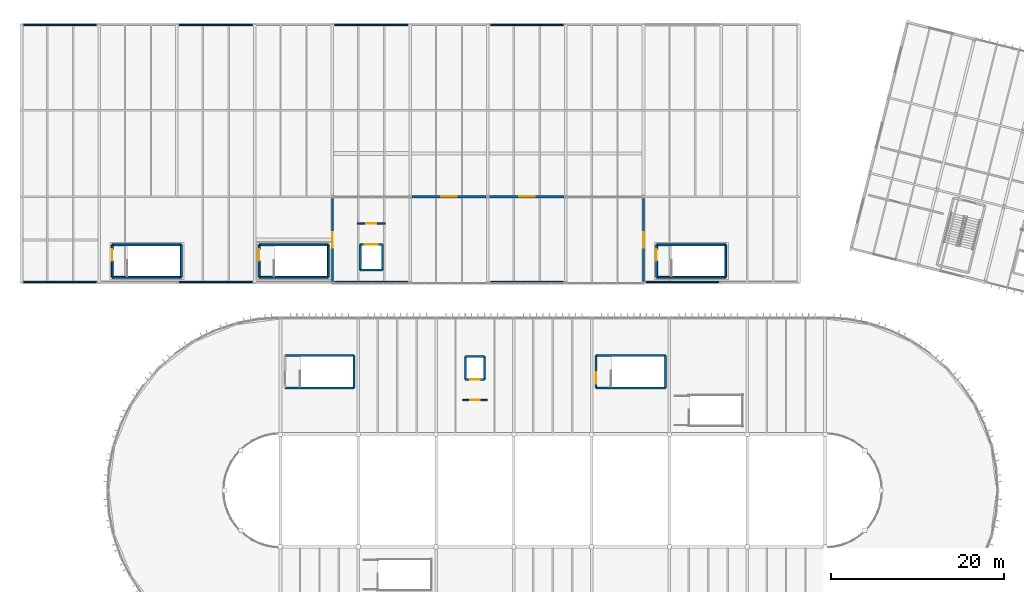
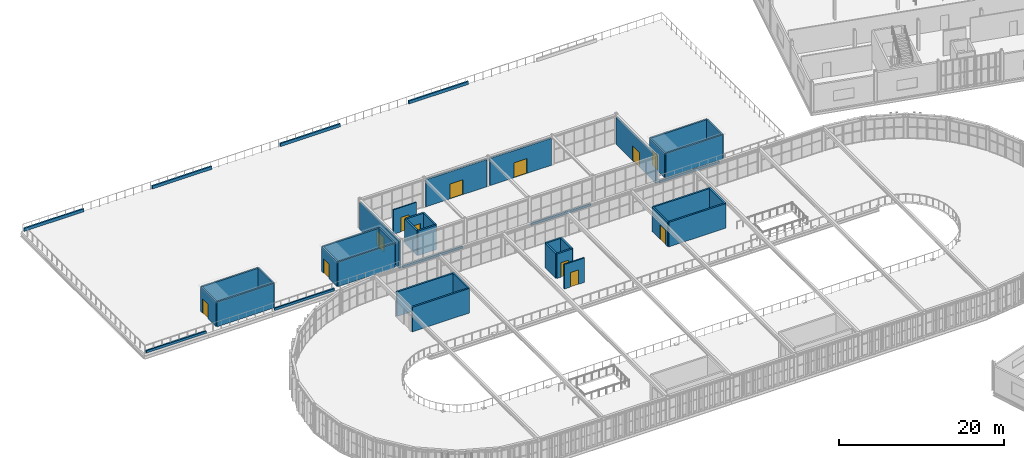
# One storey, part 122 of 152: 42 walls, 12 doors, 12 openings.
"""IFC4 building model written with IfcOpenShell, lengths in metres."""

import ifcopenshell
import ifcopenshell.guid

model = None  # the IFC model being written
_history = None  # IfcOwnerHistory: only IFC2X3 demands one
_inside = {}  # id of a spatial element -> (the spatial element, [elements in it])
_under = {}  # id of a project, library or spatial element -> (it, [spatial elements below it])
_declared = {}  # id of a project -> (the project, [libraries it declares])
_typed = {}  # id of a type object -> (the type object, [elements of that type])
_made_of = {}  # id of a material, layer set ... -> (it, [elements and type objects made of it])


def new_model(schema):
    """Start an empty IFC model of exactly this schema.

    Asked for "IFC4X3", IfcOpenShell would pick the latest addendum, in which some entities
    have other attributes; the version numbers below select the first issue.
    IFC2X3 requires an IfcOwnerHistory on every rooted entity: one is made here for all.
    """
    global model, _history
    if schema == "IFC4X3":
        model = ifcopenshell.file(schema_version=(4, 3, 0, 0))
    else:
        model = ifcopenshell.file(schema=schema)
    _inside.clear()
    _under.clear()
    _declared.clear()
    _typed.clear()
    _made_of.clear()
    _history = None
    if model.schema == "IFC2X3":
        org = make("IfcOrganization", Name="unknown")
        user = make(
            "IfcPersonAndOrganization",
            ThePerson=make("IfcPerson", FamilyName="unknown"),
            TheOrganization=org,
        )
        app = make(
            "IfcApplication",
            ApplicationDeveloper=org,
            Version="unknown",
            ApplicationFullName="unknown",
            ApplicationIdentifier="unknown",
        )
        _history = make(
            "IfcOwnerHistory",
            OwningUser=user,
            OwningApplication=app,
            ChangeAction="ADDED",
            CreationDate=0,
        )
    return model


def make(cls, **values):
    """One entity of the class cls with the attributes given. An attribute that is None is left unset."""
    return model.create_entity(
        cls, **{name: value for name, value in values.items() if value is not None}
    )


def rooted(cls, **values):
    """An entity with a GlobalId (a new one), such as an element, a storey or a relation."""
    return make(cls, GlobalId=ifcopenshell.guid.new(), OwnerHistory=_history, **values)


def si_unit(unit_type, name, prefix=None):
    """IfcSIUnit, for example si_unit("LENGTHUNIT", "METRE", prefix="MILLI")."""
    return make("IfcSIUnit", UnitType=unit_type, Prefix=prefix, Name=name)


def derived_unit(unit_type, elements):
    """IfcDerivedUnit: a product of units, each with its exponent."""
    return make(
        "IfcDerivedUnit",
        Elements=[
            make("IfcDerivedUnitElement", Unit=unit, Exponent=power)
            for unit, power in elements
        ],
        UnitType=unit_type,
    )


def assignment(units):
    """IfcUnitAssignment: the units of a project."""
    return None if units is None else make("IfcUnitAssignment", Units=units)


def point(xyz):
    """IfcCartesianPoint."""
    return None if xyz is None else make("IfcCartesianPoint", Coordinates=xyz)


def direction(xyz):
    """IfcDirection."""
    return None if xyz is None else make("IfcDirection", DirectionRatios=xyz)


def frame(location, z_axis=None, x_axis=None):
    """IfcAxis2Placement3D, a coordinate frame: its origin and axes. An axis left out is left unset."""
    return make(
        "IfcAxis2Placement3D",
        Location=point(location),
        Axis=direction(z_axis),
        RefDirection=direction(x_axis),
    )


def frame_2d(location, x_axis=None):
    """IfcAxis2Placement2D, a coordinate frame in the plane: its origin and x axis."""
    return make(
        "IfcAxis2Placement2D", Location=point(location), RefDirection=direction(x_axis)
    )


def origin():
    """The frame at (0, 0, 0) with its axes left unset."""
    return frame((0.0, 0.0, 0.0))


def place(relative_to, where):
    """IfcLocalPlacement: puts the frame where relative to a parent placement (None: the world)."""
    return make(
        "IfcLocalPlacement", PlacementRelTo=relative_to, RelativePlacement=where
    )


def context(
    kind, dimensions, precision=None, world=None, true_north=None, identifier=None
):
    """IfcGeometricRepresentationContext, for example the 3D "Model" context."""
    return make(
        "IfcGeometricRepresentationContext",
        ContextIdentifier=identifier,
        ContextType=kind,
        CoordinateSpaceDimension=dimensions,
        Precision=precision,
        WorldCoordinateSystem=world,
        TrueNorth=true_north,
    )


def subcontext(parent, identifier, kind, view, scale=None):
    """IfcGeometricRepresentationSubContext, for example "Body" below "Model"."""
    return make(
        "IfcGeometricRepresentationSubContext",
        ContextIdentifier=identifier,
        ContextType=kind,
        ParentContext=parent,
        TargetScale=scale,
        TargetView=view,
    )


def project(units=None, contexts=None):
    """IfcProject with its units and contexts."""
    return rooted(
        "IfcProject",
        Name="project",
        RepresentationContexts=contexts,
        UnitsInContext=assignment(units),
    )


def spatial(cls, under=None, at=None, **own):
    """A site, building, storey or space (cls), placed at a placement, below another one or the project."""
    s = rooted(cls, ObjectPlacement=at, **own)
    if under is not None:
        _under.setdefault(under.id(), (under, []))[1].append(s)
    return s


def profile(cls, at=None, kind="AREA", **sizes):
    """A parametric profile (cls). Its sizes go by their IFC names, for example OverallWidth=200.0."""
    return make(cls, ProfileType=kind, Position=at, **sizes)


def rectangle(**sizes):
    """IfcRectangleProfileDef."""
    return profile("IfcRectangleProfileDef", **sizes)


def extrude(swept, where, along, depth):
    """IfcExtrudedAreaSolid: the profile swept, set in the frame where, extruded along a direction by depth."""
    return make(
        "IfcExtrudedAreaSolid",
        SweptArea=swept,
        Position=where,
        ExtrudedDirection=direction(along),
        Depth=depth,
    )


def shape(context_of_items, identifier, shape_type, items):
    """IfcShapeRepresentation: the items that make up one representation, for example the "Body"."""
    return make(
        "IfcShapeRepresentation",
        ContextOfItems=context_of_items,
        RepresentationIdentifier=identifier,
        RepresentationType=shape_type,
        Items=items,
    )


def material(Name=None, Category=None):
    """IfcMaterial."""
    return make("IfcMaterial", Name=Name, Category=Category)


def layer(
    of_material, thickness, ventilated=None, Name=None, Category=None, Priority=None
):
    """IfcMaterialLayer: one layer of a wall or slab, of a material (None: an air gap)."""
    return make(
        "IfcMaterialLayer",
        Material=of_material,
        LayerThickness=thickness,
        IsVentilated=ventilated,
        Name=Name,
        Category=Category,
        Priority=Priority,
    )


def layer_set(layers, Name=None):
    """IfcMaterialLayerSet."""
    return make("IfcMaterialLayerSet", MaterialLayers=layers, LayerSetName=Name)


def made_of(thing, what):
    """Note that an element or type object is made of a material, layer set ...; save() writes the relation."""
    if what is not None:
        _made_of.setdefault(what.id(), (what, []))[1].append(thing)
    return thing


def type_object(cls, material=None, **own):
    """A type object (cls), such as IfcWallType, which elements share."""
    return made_of(rooted(cls, **own), material)


def element(
    cls,
    number,
    at=None,
    inside=None,
    cuts=None,
    type_object=None,
    material=None,
    context=None,
    identifier="Body",
    shape_type=None,
    held_by="IfcProductDefinitionShape",
    body=None,
    shapes=None,
    **own,
):
    """One element of the class cls, such as IfcWall. Its Tag is "e" and its number.

    at: its placement. inside: the storey or other place that contains it. cuts: it is an
    opening in that element (IfcRelVoidsElement). A single representation is given by context,
    identifier, shape_type and body (its items); several are given by shapes. held_by: the class
    of the entity that holds the representations. save() writes the other relations.
    """
    e = rooted(cls, Tag="e%d" % number, ObjectPlacement=at, **own)
    if body is not None:
        shapes = [shape(context, identifier, shape_type, body)]
    if shapes is not None:
        e.Representation = make(held_by, Representations=shapes)
    if inside is not None:
        _inside.setdefault(inside.id(), (inside, []))[1].append(e)
    if cuts is not None:
        rooted(
            "IfcRelVoidsElement", RelatingBuildingElement=cuts, RelatedOpeningElement=e
        )
    if type_object is not None:
        _typed.setdefault(type_object.id(), (type_object, []))[1].append(e)
    return made_of(e, material)


def fill(opening, filler):
    """IfcRelFillsElement: the door or window that sits in an opening."""
    return rooted(
        "IfcRelFillsElement",
        RelatingOpeningElement=opening,
        RelatedBuildingElement=filler,
    )


def aggregate(whole, parts):
    """IfcRelAggregates: a whole, such as a stair, and the parts it consists of."""
    return rooted("IfcRelAggregates", RelatingObject=whole, RelatedObjects=parts)


def save(model, path):
    """Write the relations noted so far, then the file.

    IfcRelAggregates (storeys below a building ...), IfcRelContainedInSpatialStructure (elements
    in a storey), IfcRelDefinesByType, IfcRelAssociatesMaterial and IfcRelDeclares: one each for
    every whole, place, type object, material and project.
    """
    for whole, parts in _under.values():
        aggregate(whole, parts)
    for where, things in _inside.values():
        rooted(
            "IfcRelContainedInSpatialStructure",
            RelatedElements=things,
            RelatingStructure=where,
        )
    for kind, things in _typed.values():
        rooted("IfcRelDefinesByType", RelatedObjects=things, RelatingType=kind)
    for what, things in _made_of.values():
        rooted("IfcRelAssociatesMaterial", RelatedObjects=things, RelatingMaterial=what)
    for by, libraries in _declared.values():
        rooted("IfcRelDeclares", RelatingContext=by, RelatedDefinitions=libraries)
    model.write(path)


model = new_model("IFC4")

# Units and contexts
model_context = context("Model", 3, precision=1e-05, world=origin(), true_north=direction((0.0, 1.0)))
body_context = subcontext(model_context, "Body", "Model", "MODEL_VIEW")
ifc_project = project(units=[si_unit("LENGTHUNIT", "METRE"), si_unit("AREAUNIT", "SQUARE_METRE"), si_unit("VOLUMEUNIT", "CUBIC_METRE"), si_unit("PLANEANGLEUNIT", "RADIAN"), si_unit("MASSUNIT", "GRAM", prefix="KILO"), si_unit("THERMODYNAMICTEMPERATUREUNIT", "KELVIN"), si_unit("TIMEUNIT", "SECOND"), derived_unit("THERMALTRANSMITTANCEUNIT", [(si_unit("MASSUNIT", "GRAM", prefix="KILO"), 1), (si_unit("THERMODYNAMICTEMPERATUREUNIT", "KELVIN"), -1), (si_unit("TIMEUNIT", "SECOND"), -3)])], contexts=[model_context])

# Site, building, storey
site_placement = place(None, origin())
site = spatial("IfcSite", under=ifc_project, at=site_placement, CompositionType="ELEMENT")
building_placement = place(site_placement, origin())
building = spatial("IfcBuilding", under=site, at=building_placement, Name="Cambertide Market Hall", CompositionType="ELEMENT")
storey_placement = place(building_placement, frame((0.0, 0.0, 5.39990234375)))
storey = spatial("IfcBuildingStorey", under=building, at=storey_placement, Name="L02", CompositionType="ELEMENT", Elevation=5.39990234375)

# Wall, opening, door
ifc_material_1 = material(Name="Autoclaved Aerated Concrete Blockwork M7.5", Category="masonry")
ifc_layer_1 = layer(ifc_material_1, 0.25, Name="Insulated AAC Exterior Infill Wall 250")
ifc_layer_set_1 = layer_set([ifc_layer_1], Name="Autoclaved Aerated Concrete Blockwork M7.5")
wall_type_1 = type_object("IfcWallType", Name="Insulated AAC Exterior Infill Wall 250", PredefinedType="SOLIDWALL", material=ifc_layer_set_1)
wall_1_placement = place(storey_placement, frame((57.199951171875, 106.0, 0.0), z_axis=(0.0, 0.0, 1.0), x_axis=(1.0, 0.0, 0.0)))
wall_1 = element("IfcWall", 1, at=wall_1_placement, inside=storey, type_object=wall_type_1, Name="Level 2 Exterior Wall EW-L02-PAVN-5", PredefinedType="SOLIDWALL", context=body_context, shape_type="SweptSolid", body=[
    extrude(rectangle(XDim=8.60009765625, YDim=0.25, at=frame_2d((4.300048828125, 0.0))), origin(), (0.0, 0.0, 1.0), 4.02001953125),
])
opening_1_placement = place(wall_1_placement, frame((3.39990234375, 0.0, 0.0)))
opening_1 = element("IfcOpeningElement", 2, at=opening_1_placement, cuts=wall_1, Name="Opening TD-01", PredefinedType="OPENING", context=body_context, shape_type="SweptSolid", body=[
    extrude(rectangle(XDim=1.800048828125, YDim=2.199951171875, at=frame_2d((0.89990234375, 1.10009765625))), frame((0.0, 0.135009765625, 0.0), z_axis=(0.0, -1.0, 0.0), x_axis=(1.0, 0.0, 0.0)), (0.0, 0.0, 1.0), 0.27001953125),
])
ifc_material_2 = material(Name="Champagne Marine Anodized Aluminium 6063-T6 AA25", Category="aluminium")
door_type_1 = type_object("IfcDoorType", Name="Glazed Terrace Double Door 1800x2200", OperationType="DOUBLE_DOOR_SINGLE_SWING", PredefinedType="DOOR", material=ifc_material_2)
door_1_placement = place(opening_1_placement, origin())
door_1 = element("IfcDoor", 3, at=door_1_placement, inside=storey, type_object=door_type_1, Name="Level 2 Exterior Door EW-L02-PAVN-5-DR", OperationType="DOUBLE_DOOR_SINGLE_SWING", OverallHeight=2.199951171875, OverallWidth=1.800048828125, PredefinedType="DOOR", context=body_context, shape_type="SweptSolid", body=[
    extrude(rectangle(XDim=1.800048828125, YDim=2.199951171875, at=frame_2d((0.89990234375, 1.10009765625))), frame((0.0, 0.02490234375, 0.0), z_axis=(0.0, -1.0, 0.0), x_axis=(1.0, 0.0, 0.0)), (0.0, 0.0, 1.0), 0.050048828125),
])
fill(opening_1, door_1)

wall_2_placement = place(storey_placement, frame((66.199951171875, 106.0, 0.0), z_axis=(0.0, 0.0, 1.0), x_axis=(1.0, 0.0, 0.0)))
wall_2 = element("IfcWall", 4, at=wall_2_placement, inside=storey, type_object=wall_type_1, Name="Level 2 Exterior Wall EW-L02-PAVN-6", PredefinedType="SOLIDWALL", context=body_context, shape_type="SweptSolid", body=[
    extrude(rectangle(XDim=8.60009765625, YDim=0.25, at=frame_2d((4.300048828125, 0.0))), origin(), (0.0, 0.0, 1.0), 4.02001953125),
])
opening_2_placement = place(wall_2_placement, frame((3.39990234375, 0.0, 0.0)))
opening_2 = element("IfcOpeningElement", 5, at=opening_2_placement, cuts=wall_2, Name="Opening TD-01", PredefinedType="OPENING", context=body_context, shape_type="SweptSolid", body=[
    extrude(rectangle(XDim=1.800048828125, YDim=2.199951171875, at=frame_2d((0.89990234375, 1.10009765625))), frame((0.0, 0.135009765625, 0.0), z_axis=(0.0, -1.0, 0.0), x_axis=(1.0, 0.0, 0.0)), (0.0, 0.0, 1.0), 0.27001953125),
])
door_2_placement = place(opening_2_placement, origin())
door_2 = element("IfcDoor", 6, at=door_2_placement, inside=storey, type_object=door_type_1, Name="Level 2 Exterior Door EW-L02-PAVN-6-DR", OperationType="DOUBLE_DOOR_SINGLE_SWING", OverallHeight=2.199951171875, OverallWidth=1.800048828125, PredefinedType="DOOR", context=body_context, shape_type="SweptSolid", body=[
    extrude(rectangle(XDim=1.800048828125, YDim=2.199951171875, at=frame_2d((0.89990234375, 1.10009765625))), frame((0.0, 0.02490234375, 0.0), z_axis=(0.0, -1.0, 0.0), x_axis=(1.0, 0.0, 0.0)), (0.0, 0.0, 1.0), 0.050048828125),
])
fill(opening_2, door_2)

wall_3_placement = place(storey_placement, frame((48.0, 96.199951171875, 0.0), z_axis=(0.0, 0.0, 1.0), x_axis=(0.0, 1.0, 0.0)))
wall_3 = element("IfcWall", 7, at=wall_3_placement, inside=storey, type_object=wall_type_1, Name="Level 2 Exterior Wall EW-L02-PAVW", PredefinedType="SOLIDWALL", context=body_context, shape_type="SweptSolid", body=[
    extrude(rectangle(XDim=9.60009765625, YDim=0.25, at=frame_2d((4.800048828125, 0.0))), origin(), (0.0, 0.0, 1.0), 4.02001953125),
])
opening_3_placement = place(wall_3_placement, frame((3.89990234375, 0.0, 0.0)))
opening_3 = element("IfcOpeningElement", 8, at=opening_3_placement, cuts=wall_3, Name="Opening TD-01", PredefinedType="OPENING", context=body_context, shape_type="SweptSolid", body=[
    extrude(rectangle(XDim=1.800048828125, YDim=2.199951171875, at=frame_2d((0.89990234375, 1.10009765625))), frame((0.0, 0.135009765625, 0.0), z_axis=(0.0, -1.0, 0.0), x_axis=(1.0, 0.0, 0.0)), (0.0, 0.0, 1.0), 0.27001953125),
])
door_3_placement = place(opening_3_placement, origin())
door_3 = element("IfcDoor", 9, at=door_3_placement, inside=storey, type_object=door_type_1, Name="Level 2 Exterior Door EW-L02-PAVW-DR", OperationType="DOUBLE_DOOR_SINGLE_SWING", OverallHeight=2.199951171875, OverallWidth=1.800048828125, PredefinedType="DOOR", context=body_context, shape_type="SweptSolid", body=[
    extrude(rectangle(XDim=1.800048828125, YDim=2.199951171875, at=frame_2d((0.89990234375, 1.10009765625))), frame((0.0, 0.02490234375, 0.0), z_axis=(0.0, -1.0, 0.0), x_axis=(1.0, 0.0, 0.0)), (0.0, 0.0, 1.0), 0.050048828125),
])
fill(opening_3, door_3)

wall_4_placement = place(storey_placement, frame((84.0, 105.800048828125, 0.0), z_axis=(0.0, 0.0, 1.0), x_axis=(0.0, -1.0, 0.0)))
wall_4 = element("IfcWall", 10, at=wall_4_placement, inside=storey, type_object=wall_type_1, Name="Level 2 Exterior Wall EW-L02-PAVE", PredefinedType="SOLIDWALL", context=body_context, shape_type="SweptSolid", body=[
    extrude(rectangle(XDim=9.60009765625, YDim=0.25, at=frame_2d((4.800048828125, 0.0))), origin(), (0.0, 0.0, 1.0), 4.02001953125),
])
opening_4_placement = place(wall_4_placement, frame((3.89990234375, 0.0, 0.0)))
opening_4 = element("IfcOpeningElement", 11, at=opening_4_placement, cuts=wall_4, Name="Opening TD-01", PredefinedType="OPENING", context=body_context, shape_type="SweptSolid", body=[
    extrude(rectangle(XDim=1.800048828125, YDim=2.199951171875, at=frame_2d((0.89990234375, 1.10009765625))), frame((0.0, 0.135009765625, 0.0), z_axis=(0.0, -1.0, 0.0), x_axis=(1.0, 0.0, 0.0)), (0.0, 0.0, 1.0), 0.27001953125),
])
door_4_placement = place(opening_4_placement, origin())
door_4 = element("IfcDoor", 12, at=door_4_placement, inside=storey, type_object=door_type_1, Name="Level 2 Exterior Door EW-L02-PAVE-DR", OperationType="DOUBLE_DOOR_SINGLE_SWING", OverallHeight=2.199951171875, OverallWidth=1.800048828125, PredefinedType="DOOR", context=body_context, shape_type="SweptSolid", body=[
    extrude(rectangle(XDim=1.800048828125, YDim=2.199951171875, at=frame_2d((0.89990234375, 1.10009765625))), frame((0.0, 0.02490234375, 0.0), z_axis=(0.0, -1.0, 0.0), x_axis=(1.0, 0.0, 0.0)), (0.0, 0.0, 1.0), 0.050048828125),
])
fill(opening_4, door_4)

ifc_material_3 = material(Name="Autoclaved Aerated Concrete Blockwork M7.5", Category="masonry")
ifc_layer_2 = layer(ifc_material_3, 0.169921875, Name="Lift Lobby Fire Partition 170")
ifc_layer_set_2 = layer_set([ifc_layer_2], Name="Autoclaved Aerated Concrete Blockwork M7.5")
wall_type_2 = type_object("IfcWallType", Name="Lift Lobby Fire Partition 170", PredefinedType="PARTITIONING", material=ifc_layer_set_2)
wall_5_placement = place(storey_placement, frame((65.929931640625, 82.469970703125, 0.0), z_axis=(0.0, 0.0, 1.0), x_axis=(-1.0, 0.0, 0.0)))
wall_5 = element("IfcWall", 13, at=wall_5_placement, inside=storey, type_object=wall_type_2, Name="Level 2 Interior Wall LLW-LP-01-L02", PredefinedType="PARTITIONING", context=body_context, shape_type="SweptSolid", body=[
    extrude(rectangle(XDim=2.85986328125, YDim=0.169921875, at=frame_2d((1.429931640625, 0.0))), origin(), (0.0, 0.0, 1.0), 3.64013671875),
])
opening_5_placement = place(wall_5_placement, frame((0.85498046875, 0.0, 0.0)))
opening_5 = element("IfcOpeningElement", 14, at=opening_5_placement, cuts=wall_5, Name="Opening KD-02", PredefinedType="OPENING", context=body_context, shape_type="SweptSolid", body=[
    extrude(rectangle(XDim=1.14990234375, YDim=2.14990234375, at=frame_2d((0.574951171875, 1.074951171875))), frame((0.0, 0.094970703125, 0.0), z_axis=(0.0, -1.0, 0.0), x_axis=(1.0, 0.0, 0.0)), (0.0, 0.0, 1.0), 0.18994140625),
])
ifc_material_4 = material(Name="Stainless Steel Grade 316", Category="metal")
door_type_2 = type_object("IfcDoorType", Name="Lift Lobby Smoke-Stop Door 1150x2150", OperationType="NOTDEFINED", PredefinedType="DOOR", material=ifc_material_4)
door_5_placement = place(opening_5_placement, origin())
door_5 = element("IfcDoor", 15, at=door_5_placement, inside=storey, type_object=door_type_2, Name="Level 2 Door LLW-LP-01-L02-DR1", OperationType="SINGLE_SWING_RIGHT", OverallHeight=2.14990234375, OverallWidth=1.14990234375, PredefinedType="DOOR", context=body_context, shape_type="SweptSolid", body=[
    extrude(rectangle(XDim=1.14990234375, YDim=2.14990234375, at=frame_2d((0.574951171875, 1.074951171875))), frame((0.0, 0.02490234375, 0.0), z_axis=(0.0, -1.0, 0.0), x_axis=(1.0, 0.0, 0.0)), (0.0, 0.0, 1.0), 0.050048828125),
])
fill(opening_5, door_5)

wall_6_placement = place(storey_placement, frame((50.8701171875, 102.8798828125, 0.0), z_axis=(0.0, 0.0, 1.0), x_axis=(1.0, 0.0, 0.0)))
wall_6 = element("IfcWall", 16, at=wall_6_placement, inside=storey, type_object=wall_type_2, Name="Level 2 Interior Wall LLW-LG-01-L02", PredefinedType="PARTITIONING", context=body_context, shape_type="SweptSolid", body=[
    extrude(rectangle(XDim=3.259765625, YDim=0.169921875, at=frame_2d((1.6298828125, 0.0))), origin(), (0.0, 0.0, 1.0), 3.64013671875),
])
opening_6_placement = place(wall_6_placement, frame((1.054931640625, 0.0, 0.0)))
opening_6 = element("IfcOpeningElement", 17, at=opening_6_placement, cuts=wall_6, Name="Opening KD-02", PredefinedType="OPENING", context=body_context, shape_type="SweptSolid", body=[
    extrude(rectangle(XDim=1.14990234375, YDim=2.14990234375, at=frame_2d((0.574951171875, 1.074951171875))), frame((0.0, 0.094970703125, 0.0), z_axis=(0.0, -1.0, 0.0), x_axis=(1.0, 0.0, 0.0)), (0.0, 0.0, 1.0), 0.18994140625),
])
door_6_placement = place(opening_6_placement, origin())
door_6 = element("IfcDoor", 18, at=door_6_placement, inside=storey, type_object=door_type_2, Name="Level 2 Door LLW-LG-01-L02-DR1", OperationType="SINGLE_SWING_LEFT", OverallHeight=2.14990234375, OverallWidth=1.14990234375, PredefinedType="DOOR", context=body_context, shape_type="SweptSolid", body=[
    extrude(rectangle(XDim=1.14990234375, YDim=2.14990234375, at=frame_2d((0.574951171875, 1.074951171875))), frame((0.0, 0.02490234375, 0.0), z_axis=(0.0, -1.0, 0.0), x_axis=(1.0, 0.0, 0.0)), (0.0, 0.0, 1.0), 0.050048828125),
])
fill(opening_6, door_6)

# Walls
ifc_material_5 = material(Name="Precast concrete B35", Category="concrete")
ifc_layer_3 = layer(ifc_material_5, 0.195068359375, Name="Monsoon Gutter Parapet Upstand 195")
ifc_layer_set_3 = layer_set([ifc_layer_3], Name="Precast concrete B35")
wall_type_3 = type_object("IfcWallType", Name="Monsoon Gutter Parapet Upstand 195", PredefinedType="PARAPET", material=ifc_layer_set_3)
for number, where, z_axis, x_axis, name in (
    (19, (20.699951171875, 96.1201171875, 0.0), (0.0, 0.0, 1.0), (-1.0, 0.0, 0.0), "PAR-V2S-1"),
    (20, (38.699951171875, 96.1201171875, 0.0), (0.0, 0.0, 1.0), (-1.0, 0.0, 0.0), "PAR-V2S-2"),
    (21, (56.699951171875, 96.1201171875, 0.0), (0.0, 0.0, 1.0), (-1.0, 0.0, 0.0), "PAR-V2S-3"),
    (22, (74.699951171875, 96.1201171875, 0.0), (0.0, 0.0, 1.0), (-1.0, 0.0, 0.0), "PAR-V2S-4"),
    (23, (92.699951171875, 96.1201171875, 0.0), (0.0, 0.0, 1.0), (-1.0, 0.0, 0.0), "PAR-V2S-5"),
):
    element("IfcWall", number, at=place(storey_placement, frame(where, z_axis=z_axis, x_axis=x_axis)), inside=storey, type_object=wall_type_3, Name=name, PredefinedType="PARAPET", context=body_context, shape_type="SweptSolid", body=[
        extrude(rectangle(XDim=8.39990234375, YDim=0.195068359375, at=frame_2d((4.199951171875, 0.0))), origin(), (0.0, 0.0, 1.0), 0.35009765625),
    ])
ifc_material_6 = material(Name="Concrete B35", Category="concrete")
ifc_layer_4 = layer(ifc_material_6, 0.239990234375, Name="Stair & Lift Core Shaft Wall 240")
ifc_layer_set_4 = layer_set([ifc_layer_4], Name="Concrete B35")
wall_type_4 = type_object("IfcWallType", Name="Stair & Lift Core Shaft Wall 240", PredefinedType="SOLIDWALL", material=ifc_layer_set_4)
wall_7_placement = place(storey_placement, frame((50.52490234375, 83.875, 0.0), z_axis=(0.0, 0.0, 1.0), x_axis=(-1.0, 0.0, 0.0)))
element("IfcWall", 24, at=wall_7_placement, inside=storey, type_object=wall_type_4, Name="Level 2 Interior Wall SHW-ST-01-L02-L", PredefinedType="SOLIDWALL", context=body_context, shape_type="SweptSolid", body=[
    extrude(rectangle(XDim=8.0, YDim=0.239990234375, at=frame_2d((4.0, 0.0))), origin(), (0.0, 0.0, 1.0), 3.64013671875),
])
wall_8_placement = place(storey_placement, frame((50.52490234375, 87.625, 0.0), z_axis=(0.0, 0.0, 1.0), x_axis=(0.0, -1.0, 0.0)))
element("IfcWall", 25, at=wall_8_placement, inside=storey, type_object=wall_type_4, Name="Level 2 Interior Wall SHW-ST-01-L02-FAR", PredefinedType="SOLIDWALL", context=body_context, shape_type="SweptSolid", body=[
    extrude(rectangle(XDim=3.75, YDim=0.239990234375, at=frame_2d((1.875, 0.0))), origin(), (0.0, 0.0, 1.0), 3.64013671875),
])
wall_9_placement = place(storey_placement, frame((42.52490234375, 87.625, 0.0), z_axis=(0.0, 0.0, 1.0), x_axis=(1.0, 0.0, 0.0)))
element("IfcWall", 26, at=wall_9_placement, inside=storey, type_object=wall_type_4, Name="Level 2 Interior Wall SHW-ST-01-L02-R", PredefinedType="SOLIDWALL", context=body_context, shape_type="SweptSolid", body=[
    extrude(rectangle(XDim=8.0, YDim=0.239990234375, at=frame_2d((4.0, 0.0))), origin(), (0.0, 0.0, 1.0), 3.64013671875),
])

# Wall, opening, door
wall_10_placement = place(storey_placement, frame((78.52490234375, 83.875, 0.0), z_axis=(0.0, 0.0, 1.0), x_axis=(0.0, 1.0, 0.0)))
wall_10 = element("IfcWall", 27, at=wall_10_placement, inside=storey, type_object=wall_type_4, Name="Level 2 Interior Wall SHW-ST-01B-L02-NEAR", PredefinedType="SOLIDWALL", context=body_context, shape_type="SweptSolid", body=[
    extrude(rectangle(XDim=3.75, YDim=0.239990234375, at=frame_2d((1.875, 0.0))), origin(), (0.0, 0.0, 1.0), 3.64013671875),
])
opening_7_placement = place(wall_10_placement, frame((0.489990234375, 0.0, 0.0)))
opening_7 = element("IfcOpeningElement", 28, at=opening_7_placement, cuts=wall_10, Name="Opening FD-01", PredefinedType="OPENING", context=body_context, shape_type="SweptSolid", body=[
    extrude(rectangle(XDim=1.300048828125, YDim=2.14990234375, at=frame_2d((0.64990234375, 1.074951171875))), frame((0.0, 0.1298828125, 0.0), z_axis=(0.0, -1.0, 0.0), x_axis=(1.0, 0.0, 0.0)), (0.0, 0.0, 1.0), 0.260009765625),
])
ifc_material_7 = material(Name="Powder-Coated Galvanized Sheet Metal", Category="metal")
door_type_3 = type_object("IfcDoorType", Name="Stair Core Fire Door 1300x2150", OperationType="NOTDEFINED", PredefinedType="DOOR", material=ifc_material_7)
door_7_placement = place(opening_7_placement, origin())
door_7 = element("IfcDoor", 29, at=door_7_placement, inside=storey, type_object=door_type_3, Name="Level 2 Door SHW-ST-01B-L02-NEAR-DR1", OperationType="SINGLE_SWING_RIGHT", OverallHeight=2.14990234375, OverallWidth=1.300048828125, PredefinedType="DOOR", context=body_context, shape_type="SweptSolid", body=[
    extrude(rectangle(XDim=1.300048828125, YDim=2.14990234375, at=frame_2d((0.64990234375, 1.074951171875))), frame((0.0, 0.02490234375, 0.0), z_axis=(0.0, -1.0, 0.0), x_axis=(1.0, 0.0, 0.0)), (0.0, 0.0, 1.0), 0.050048828125),
])
fill(opening_7, door_7)

# Walls
wall_11_placement = place(storey_placement, frame((86.52490234375, 83.875, 0.0), z_axis=(0.0, 0.0, 1.0), x_axis=(-1.0, 0.0, 0.0)))
element("IfcWall", 30, at=wall_11_placement, inside=storey, type_object=wall_type_4, Name="Level 2 Interior Wall SHW-ST-01B-L02-L", PredefinedType="SOLIDWALL", context=body_context, shape_type="SweptSolid", body=[
    extrude(rectangle(XDim=8.0, YDim=0.239990234375, at=frame_2d((4.0, 0.0))), origin(), (0.0, 0.0, 1.0), 3.64013671875),
])
wall_12_placement = place(storey_placement, frame((86.52490234375, 87.625, 0.0), z_axis=(0.0, 0.0, 1.0), x_axis=(0.0, -1.0, 0.0)))
element("IfcWall", 31, at=wall_12_placement, inside=storey, type_object=wall_type_4, Name="Level 2 Interior Wall SHW-ST-01B-L02-FAR", PredefinedType="SOLIDWALL", context=body_context, shape_type="SweptSolid", body=[
    extrude(rectangle(XDim=3.75, YDim=0.239990234375, at=frame_2d((1.875, 0.0))), origin(), (0.0, 0.0, 1.0), 3.64013671875),
])
wall_13_placement = place(storey_placement, frame((78.52490234375, 87.625, 0.0), z_axis=(0.0, 0.0, 1.0), x_axis=(1.0, 0.0, 0.0)))
element("IfcWall", 32, at=wall_13_placement, inside=storey, type_object=wall_type_4, Name="Level 2 Interior Wall SHW-ST-01B-L02-R", PredefinedType="SOLIDWALL", context=body_context, shape_type="SweptSolid", body=[
    extrude(rectangle(XDim=8.0, YDim=0.239990234375, at=frame_2d((4.0, 0.0))), origin(), (0.0, 0.0, 1.0), 3.64013671875),
])

# Wall, opening, door
wall_14_placement = place(storey_placement, frame((65.580078125, 84.8701171875, 0.0), z_axis=(0.0, 0.0, 1.0), x_axis=(-1.0, 0.0, 0.0)))
wall_14 = element("IfcWall", 33, at=wall_14_placement, inside=storey, type_object=wall_type_4, Name="Level 2 Interior Wall LSH-LP-01-L02-S", PredefinedType="SOLIDWALL", context=body_context, shape_type="SweptSolid", body=[
    extrude(rectangle(XDim=2.16015625, YDim=0.239990234375, at=frame_2d((1.080078125, 0.0))), origin(), (0.0, 0.0, 1.0), 3.64013671875),
])
opening_8_placement = place(wall_14_placement, frame((0.530029296875, 0.0, 0.0)))
opening_8 = element("IfcOpeningElement", 34, at=opening_8_placement, cuts=wall_14, Name="Opening LD-01", PredefinedType="OPENING", context=body_context, shape_type="SweptSolid", body=[
    extrude(rectangle(XDim=1.10009765625, YDim=2.14990234375, at=frame_2d((0.550048828125, 1.074951171875))), frame((0.0, 0.1298828125, 0.0), z_axis=(0.0, -1.0, 0.0), x_axis=(1.0, 0.0, 0.0)), (0.0, 0.0, 1.0), 0.260009765625),
])
ifc_material_8 = material(Name="Stainless Steel Grade 316", Category="metal")
door_type_4 = type_object("IfcDoorType", Name="Passenger Lift Sliding Landing Door 1100x2150", OperationType="DOUBLE_DOOR_SLIDING", PredefinedType="DOOR", material=ifc_material_8)
door_8_placement = place(opening_8_placement, origin())
door_8 = element("IfcDoor", 35, at=door_8_placement, inside=storey, type_object=door_type_4, Name="Level 2 Door LSH-LP-01-L02-S-DR1", OperationType="DOUBLE_DOOR_SLIDING", OverallHeight=2.14990234375, OverallWidth=1.10009765625, PredefinedType="DOOR", context=body_context, shape_type="SweptSolid", body=[
    extrude(rectangle(XDim=1.10009765625, YDim=2.14990234375, at=frame_2d((0.550048828125, 1.074951171875))), frame((0.0, 0.02490234375, 0.0), z_axis=(0.0, -1.0, 0.0), x_axis=(1.0, 0.0, 0.0)), (0.0, 0.0, 1.0), 0.050048828125),
])
fill(opening_8, door_8)

# Walls
wall_15_placement = place(storey_placement, frame((63.419921875, 87.530029296875, 0.0), z_axis=(0.0, 0.0, 1.0), x_axis=(1.0, 0.0, 0.0)))
element("IfcWall", 36, at=wall_15_placement, inside=storey, type_object=wall_type_4, Name="Level 2 Interior Wall LSH-LP-01-L02-N", PredefinedType="SOLIDWALL", context=body_context, shape_type="SweptSolid", body=[
    extrude(rectangle(XDim=2.16015625, YDim=0.239990234375, at=frame_2d((1.080078125, 0.0))), origin(), (0.0, 0.0, 1.0), 3.64013671875),
])
for number, where, z_axis, x_axis, name in (
    (37, (63.419921875, 84.8701171875, 0.0), (0.0, 0.0, 1.0), (0.0, 1.0, 0.0), "Level 2 Interior Wall LSH-LP-01-L02-W"),
    (38, (65.580078125, 87.530029296875, 0.0), (0.0, 0.0, 1.0), (0.0, -1.0, 0.0), "Level 2 Interior Wall LSH-LP-01-L02-E"),
):
    element("IfcWall", number, at=place(storey_placement, frame(where, z_axis=z_axis, x_axis=x_axis)), inside=storey, type_object=wall_type_4, Name=name, PredefinedType="SOLIDWALL", context=body_context, shape_type="SweptSolid", body=[
        extrude(rectangle(XDim=2.659912109375, YDim=0.239990234375, at=frame_2d((1.330078125, 0.0))), origin(), (0.0, 0.0, 1.0), 3.64013671875),
    ])
wall_16_placement = place(storey_placement, frame((53.780029296875, 97.52001953125, 0.0), z_axis=(0.0, 0.0, 1.0), x_axis=(-1.0, 0.0, 0.0)))
element("IfcWall", 39, at=wall_16_placement, inside=storey, type_object=wall_type_4, Name="Level 2 Interior Wall LSH-LG-01-L02-S", PredefinedType="SOLIDWALL", context=body_context, shape_type="SweptSolid", body=[
    extrude(rectangle(XDim=2.56005859375, YDim=0.239990234375, at=frame_2d((1.280029296875, 0.0))), origin(), (0.0, 0.0, 1.0), 3.64013671875),
])

# Wall, opening, door
wall_17_placement = place(storey_placement, frame((51.219970703125, 100.47998046875, 0.0), z_axis=(0.0, 0.0, 1.0), x_axis=(1.0, 0.0, 0.0)))
wall_17 = element("IfcWall", 40, at=wall_17_placement, inside=storey, type_object=wall_type_4, Name="Level 2 Interior Wall LSH-LG-01-L02-N", PredefinedType="SOLIDWALL", context=body_context, shape_type="SweptSolid", body=[
    extrude(rectangle(XDim=2.56005859375, YDim=0.239990234375, at=frame_2d((1.280029296875, 0.0))), origin(), (0.0, 0.0, 1.0), 3.64013671875),
])
opening_9_placement = place(wall_17_placement, frame((0.530029296875, 0.0, 0.0)))
opening_9 = element("IfcOpeningElement", 41, at=opening_9_placement, cuts=wall_17, Name="Opening LD-02", PredefinedType="OPENING", context=body_context, shape_type="SweptSolid", body=[
    extrude(rectangle(XDim=1.5, YDim=2.25, at=frame_2d((0.75, 1.125))), frame((0.0, 0.1298828125, 0.0), z_axis=(0.0, -1.0, 0.0), x_axis=(1.0, 0.0, 0.0)), (0.0, 0.0, 1.0), 0.260009765625),
])
ifc_material_9 = material(Name="Stainless Steel Grade 316", Category="metal")
door_type_5 = type_object("IfcDoorType", Name="Goods Lift Sliding Landing Door 1500x2250", OperationType="DOUBLE_DOOR_SLIDING", PredefinedType="DOOR", material=ifc_material_9)
door_9_placement = place(opening_9_placement, origin())
door_9 = element("IfcDoor", 42, at=door_9_placement, inside=storey, type_object=door_type_5, Name="Level 2 Door LSH-LG-01-L02-N-DR1", OperationType="DOUBLE_DOOR_SLIDING", OverallHeight=2.25, OverallWidth=1.5, PredefinedType="DOOR", context=body_context, shape_type="SweptSolid", body=[
    extrude(rectangle(XDim=1.5, YDim=2.25, at=frame_2d((0.75, 1.125))), frame((0.0, 0.02490234375, 0.0), z_axis=(0.0, -1.0, 0.0), x_axis=(1.0, 0.0, 0.0)), (0.0, 0.0, 1.0), 0.050048828125),
])
fill(opening_9, door_9)

# Walls
for number, where, z_axis, x_axis, name in (
    (43, (51.219970703125, 97.52001953125, 0.0), (0.0, 0.0, 1.0), (0.0, 1.0, 0.0), "Level 2 Interior Wall LSH-LG-01-L02-W"),
    (44, (53.780029296875, 100.47998046875, 0.0), (0.0, 0.0, 1.0), (0.0, -1.0, 0.0), "Level 2 Interior Wall LSH-LG-01-L02-E"),
):
    element("IfcWall", number, at=place(storey_placement, frame(where, z_axis=z_axis, x_axis=x_axis)), inside=storey, type_object=wall_type_4, Name=name, PredefinedType="SOLIDWALL", context=body_context, shape_type="SweptSolid", body=[
        extrude(rectangle(XDim=2.9599609375, YDim=0.239990234375, at=frame_2d((1.47998046875, 0.0))), origin(), (0.0, 0.0, 1.0), 3.64013671875),
    ])

# Wall, opening, door
ifc_material_10 = material(Name="Precast concrete B35", Category="concrete")
ifc_layer_5 = layer(ifc_material_10, 0.219970703125, Name="Stair Headhouse Weather Wall 220")
ifc_layer_set_5 = layer_set([ifc_layer_5], Name="Precast concrete B35")
wall_type_5 = type_object("IfcWallType", Name="Stair Headhouse Weather Wall 220", PredefinedType="SOLIDWALL", material=ifc_layer_set_5)
wall_18_placement = place(storey_placement, frame((22.52490234375, 96.675048828125, 0.0), z_axis=(0.0, 0.0, 1.0), x_axis=(0.0, 1.0, 0.0)))
wall_18 = element("IfcWall", 45, at=wall_18_placement, inside=storey, type_object=wall_type_5, Name="Level 2 Exterior Wall SHW-ST-03-L02-NEAR", PredefinedType="SOLIDWALL", context=body_context, shape_type="SweptSolid", body=[
    extrude(rectangle(XDim=3.75, YDim=0.219970703125, at=frame_2d((1.875, 0.0))), origin(), (0.0, 0.0, 1.0), 3.64013671875),
])
opening_10_placement = place(wall_18_placement, frame((1.919921875, 0.0, 0.0)))
opening_10 = element("IfcOpeningElement", 46, at=opening_10_placement, cuts=wall_18, Name="Opening TD-03", PredefinedType="OPENING", context=body_context, shape_type="SweptSolid", body=[
    extrude(rectangle(XDim=1.35009765625, YDim=2.14990234375, at=frame_2d((0.675048828125, 1.074951171875))), frame((0.0, 0.119873046875, 0.0), z_axis=(0.0, -1.0, 0.0), x_axis=(1.0, 0.0, 0.0)), (0.0, 0.0, 1.0), 0.239990234375),
])
ifc_material_11 = material(Name="Powder-Coated Galvanized Sheet Metal", Category="metal")
door_type_6 = type_object("IfcDoorType", Name="Headhouse Terrace Exit Door 1350x2150", OperationType="NOTDEFINED", PredefinedType="DOOR", material=ifc_material_11)
door_10_placement = place(opening_10_placement, origin())
door_10 = element("IfcDoor", 47, at=door_10_placement, inside=storey, type_object=door_type_6, Name="Level 2 Door SHW-ST-03-L02-NEAR-DR1", OperationType="SINGLE_SWING_LEFT", OverallHeight=2.14990234375, OverallWidth=1.35009765625, PredefinedType="DOOR", context=body_context, shape_type="SweptSolid", body=[
    extrude(rectangle(XDim=1.35009765625, YDim=2.14990234375, at=frame_2d((0.675048828125, 1.074951171875))), frame((0.0, 0.02490234375, 0.0), z_axis=(0.0, -1.0, 0.0), x_axis=(1.0, 0.0, 0.0)), (0.0, 0.0, 1.0), 0.050048828125),
])
fill(opening_10, door_10)

# Walls
wall_19_placement = place(storey_placement, frame((30.52490234375, 96.675048828125, 0.0), z_axis=(0.0, 0.0, 1.0), x_axis=(-1.0, 0.0, 0.0)))
element("IfcWall", 48, at=wall_19_placement, inside=storey, type_object=wall_type_5, Name="Level 2 Exterior Wall SHW-ST-03-L02-L", PredefinedType="SOLIDWALL", context=body_context, shape_type="SweptSolid", body=[
    extrude(rectangle(XDim=8.0, YDim=0.219970703125, at=frame_2d((4.0, 0.0))), origin(), (0.0, 0.0, 1.0), 3.64013671875),
])
wall_20_placement = place(storey_placement, frame((30.52490234375, 100.425048828125, 0.0), z_axis=(0.0, 0.0, 1.0), x_axis=(0.0, -1.0, 0.0)))
element("IfcWall", 49, at=wall_20_placement, inside=storey, type_object=wall_type_5, Name="Level 2 Exterior Wall SHW-ST-03-L02-FAR", PredefinedType="SOLIDWALL", context=body_context, shape_type="SweptSolid", body=[
    extrude(rectangle(XDim=3.75, YDim=0.219970703125, at=frame_2d((1.875, 0.0))), origin(), (0.0, 0.0, 1.0), 3.64013671875),
])
wall_21_placement = place(storey_placement, frame((22.52490234375, 100.425048828125, 0.0), z_axis=(0.0, 0.0, 1.0), x_axis=(1.0, 0.0, 0.0)))
element("IfcWall", 50, at=wall_21_placement, inside=storey, type_object=wall_type_5, Name="Level 2 Exterior Wall SHW-ST-03-L02-R", PredefinedType="SOLIDWALL", context=body_context, shape_type="SweptSolid", body=[
    extrude(rectangle(XDim=8.0, YDim=0.219970703125, at=frame_2d((4.0, 0.0))), origin(), (0.0, 0.0, 1.0), 3.64013671875),
])

# Wall, opening, door
wall_22_placement = place(storey_placement, frame((39.52490234375, 96.675048828125, 0.0), z_axis=(0.0, 0.0, 1.0), x_axis=(0.0, 1.0, 0.0)))
wall_22 = element("IfcWall", 51, at=wall_22_placement, inside=storey, type_object=wall_type_5, Name="Level 2 Exterior Wall SHW-ST-03B-L02-NEAR", PredefinedType="SOLIDWALL", context=body_context, shape_type="SweptSolid", body=[
    extrude(rectangle(XDim=3.75, YDim=0.219970703125, at=frame_2d((1.875, 0.0))), origin(), (0.0, 0.0, 1.0), 3.64013671875),
])
opening_11_placement = place(wall_22_placement, frame((1.919921875, 0.0, 0.0)))
opening_11 = element("IfcOpeningElement", 52, at=opening_11_placement, cuts=wall_22, Name="Opening TD-03", PredefinedType="OPENING", context=body_context, shape_type="SweptSolid", body=[
    extrude(rectangle(XDim=1.35009765625, YDim=2.14990234375, at=frame_2d((0.675048828125, 1.074951171875))), frame((0.0, 0.119873046875, 0.0), z_axis=(0.0, -1.0, 0.0), x_axis=(1.0, 0.0, 0.0)), (0.0, 0.0, 1.0), 0.239990234375),
])
door_11_placement = place(opening_11_placement, origin())
door_11 = element("IfcDoor", 53, at=door_11_placement, inside=storey, type_object=door_type_6, Name="Level 2 Door SHW-ST-03B-L02-NEAR-DR1", OperationType="SINGLE_SWING_RIGHT", OverallHeight=2.14990234375, OverallWidth=1.35009765625, PredefinedType="DOOR", context=body_context, shape_type="SweptSolid", body=[
    extrude(rectangle(XDim=1.35009765625, YDim=2.14990234375, at=frame_2d((0.675048828125, 1.074951171875))), frame((0.0, 0.02490234375, 0.0), z_axis=(0.0, -1.0, 0.0), x_axis=(1.0, 0.0, 0.0)), (0.0, 0.0, 1.0), 0.050048828125),
])
fill(opening_11, door_11)

# Walls
wall_23_placement = place(storey_placement, frame((47.52490234375, 96.675048828125, 0.0), z_axis=(0.0, 0.0, 1.0), x_axis=(-1.0, 0.0, 0.0)))
element("IfcWall", 54, at=wall_23_placement, inside=storey, type_object=wall_type_5, Name="Level 2 Exterior Wall SHW-ST-03B-L02-L", PredefinedType="SOLIDWALL", context=body_context, shape_type="SweptSolid", body=[
    extrude(rectangle(XDim=8.0, YDim=0.219970703125, at=frame_2d((4.0, 0.0))), origin(), (0.0, 0.0, 1.0), 3.64013671875),
])
wall_24_placement = place(storey_placement, frame((47.52490234375, 100.425048828125, 0.0), z_axis=(0.0, 0.0, 1.0), x_axis=(0.0, -1.0, 0.0)))
element("IfcWall", 55, at=wall_24_placement, inside=storey, type_object=wall_type_5, Name="Level 2 Exterior Wall SHW-ST-03B-L02-FAR", PredefinedType="SOLIDWALL", context=body_context, shape_type="SweptSolid", body=[
    extrude(rectangle(XDim=3.75, YDim=0.219970703125, at=frame_2d((1.875, 0.0))), origin(), (0.0, 0.0, 1.0), 3.64013671875),
])
wall_25_placement = place(storey_placement, frame((39.52490234375, 100.425048828125, 0.0), z_axis=(0.0, 0.0, 1.0), x_axis=(1.0, 0.0, 0.0)))
element("IfcWall", 56, at=wall_25_placement, inside=storey, type_object=wall_type_5, Name="Level 2 Exterior Wall SHW-ST-03B-L02-R", PredefinedType="SOLIDWALL", context=body_context, shape_type="SweptSolid", body=[
    extrude(rectangle(XDim=8.0, YDim=0.219970703125, at=frame_2d((4.0, 0.0))), origin(), (0.0, 0.0, 1.0), 3.64013671875),
])

# Wall, opening, door
wall_26_placement = place(storey_placement, frame((85.52490234375, 96.675048828125, 0.0), z_axis=(0.0, 0.0, 1.0), x_axis=(0.0, 1.0, 0.0)))
wall_26 = element("IfcWall", 57, at=wall_26_placement, inside=storey, type_object=wall_type_5, Name="Level 2 Exterior Wall SHW-ST-04-L02-NEAR", PredefinedType="SOLIDWALL", context=body_context, shape_type="SweptSolid", body=[
    extrude(rectangle(XDim=3.75, YDim=0.219970703125, at=frame_2d((1.875, 0.0))), origin(), (0.0, 0.0, 1.0), 3.64013671875),
])
opening_12_placement = place(wall_26_placement, frame((1.919921875, 0.0, 0.0)))
opening_12 = element("IfcOpeningElement", 58, at=opening_12_placement, cuts=wall_26, Name="Opening TD-03", PredefinedType="OPENING", context=body_context, shape_type="SweptSolid", body=[
    extrude(rectangle(XDim=1.35009765625, YDim=2.14990234375, at=frame_2d((0.675048828125, 1.074951171875))), frame((0.0, 0.119873046875, 0.0), z_axis=(0.0, -1.0, 0.0), x_axis=(1.0, 0.0, 0.0)), (0.0, 0.0, 1.0), 0.239990234375),
])
door_12_placement = place(opening_12_placement, origin())
door_12 = element("IfcDoor", 59, at=door_12_placement, inside=storey, type_object=door_type_6, Name="Level 2 Door SHW-ST-04-L02-NEAR-DR1", OperationType="SINGLE_SWING_LEFT", OverallHeight=2.14990234375, OverallWidth=1.35009765625, PredefinedType="DOOR", context=body_context, shape_type="SweptSolid", body=[
    extrude(rectangle(XDim=1.35009765625, YDim=2.14990234375, at=frame_2d((0.675048828125, 1.074951171875))), frame((0.0, 0.02490234375, 0.0), z_axis=(0.0, -1.0, 0.0), x_axis=(1.0, 0.0, 0.0)), (0.0, 0.0, 1.0), 0.050048828125),
])
fill(opening_12, door_12)

# Walls
wall_27_placement = place(storey_placement, frame((93.52490234375, 96.675048828125, 0.0), z_axis=(0.0, 0.0, 1.0), x_axis=(-1.0, 0.0, 0.0)))
element("IfcWall", 60, at=wall_27_placement, inside=storey, type_object=wall_type_5, Name="Level 2 Exterior Wall SHW-ST-04-L02-L", PredefinedType="SOLIDWALL", context=body_context, shape_type="SweptSolid", body=[
    extrude(rectangle(XDim=8.0, YDim=0.219970703125, at=frame_2d((4.0, 0.0))), origin(), (0.0, 0.0, 1.0), 3.64013671875),
])
wall_28_placement = place(storey_placement, frame((93.52490234375, 100.425048828125, 0.0), z_axis=(0.0, 0.0, 1.0), x_axis=(0.0, -1.0, 0.0)))
element("IfcWall", 61, at=wall_28_placement, inside=storey, type_object=wall_type_5, Name="Level 2 Exterior Wall SHW-ST-04-L02-FAR", PredefinedType="SOLIDWALL", context=body_context, shape_type="SweptSolid", body=[
    extrude(rectangle(XDim=3.75, YDim=0.219970703125, at=frame_2d((1.875, 0.0))), origin(), (0.0, 0.0, 1.0), 3.64013671875),
])
wall_29_placement = place(storey_placement, frame((85.52490234375, 100.425048828125, 0.0), z_axis=(0.0, 0.0, 1.0), x_axis=(1.0, 0.0, 0.0)))
element("IfcWall", 62, at=wall_29_placement, inside=storey, type_object=wall_type_5, Name="Level 2 Exterior Wall SHW-ST-04-L02-R", PredefinedType="SOLIDWALL", context=body_context, shape_type="SweptSolid", body=[
    extrude(rectangle(XDim=8.0, YDim=0.219970703125, at=frame_2d((4.0, 0.0))), origin(), (0.0, 0.0, 1.0), 3.64013671875),
])
ifc_material_12 = material(Name="Precast concrete B35", Category="concrete")
ifc_layer_6 = layer(ifc_material_12, 0.2099609375, Name="Terrace & Roof Parapet Upstand 210")
ifc_layer_set_6 = layer_set([ifc_layer_6], Name="Precast concrete B35")
wall_type_6 = type_object("IfcWallType", Name="Terrace & Roof Parapet Upstand 210", PredefinedType="PARAPET", material=ifc_layer_set_6)
for number, where, z_axis, x_axis, name in (
    (63, (12.300048828125, 125.8798828125, 0.0), (0.0, 0.0, 1.0), (1.0, 0.0, 0.0), "PAR-V2N-1"),
    (64, (30.300048828125, 125.8798828125, 0.0), (0.0, 0.0, 1.0), (1.0, 0.0, 0.0), "PAR-V2N-2"),
    (65, (48.300048828125, 125.8798828125, 0.0), (0.0, 0.0, 1.0), (1.0, 0.0, 0.0), "PAR-V2N-3"),
    (66, (66.300048828125, 125.8798828125, 0.0), (0.0, 0.0, 1.0), (1.0, 0.0, 0.0), "PAR-V2N-4"),
):
    element("IfcWall", number, at=place(storey_placement, frame(where, z_axis=z_axis, x_axis=x_axis)), inside=storey, type_object=wall_type_6, Name=name, PredefinedType="PARAPET", context=body_context, shape_type="SweptSolid", body=[
        extrude(rectangle(XDim=8.39990234375, YDim=0.2099609375, at=frame_2d((4.199951171875, 0.0))), origin(), (0.0, 0.0, 1.0), 0.4501953125),
    ])

save(model, "model.ifc")
